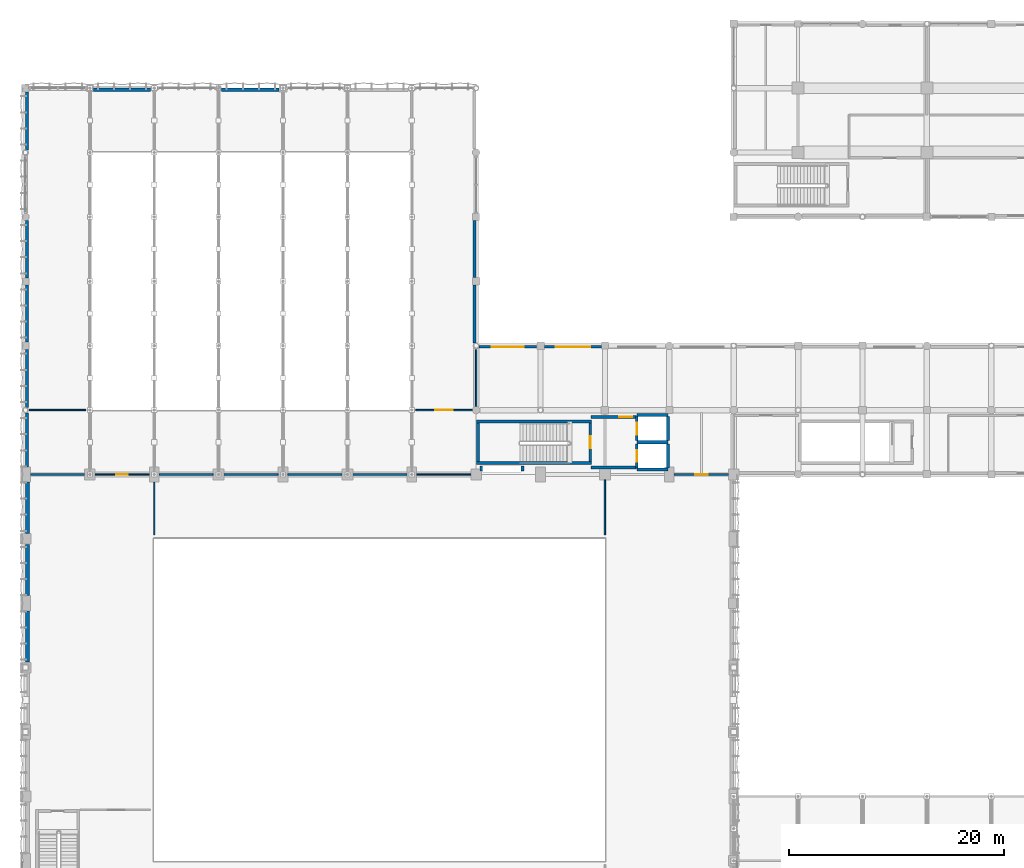
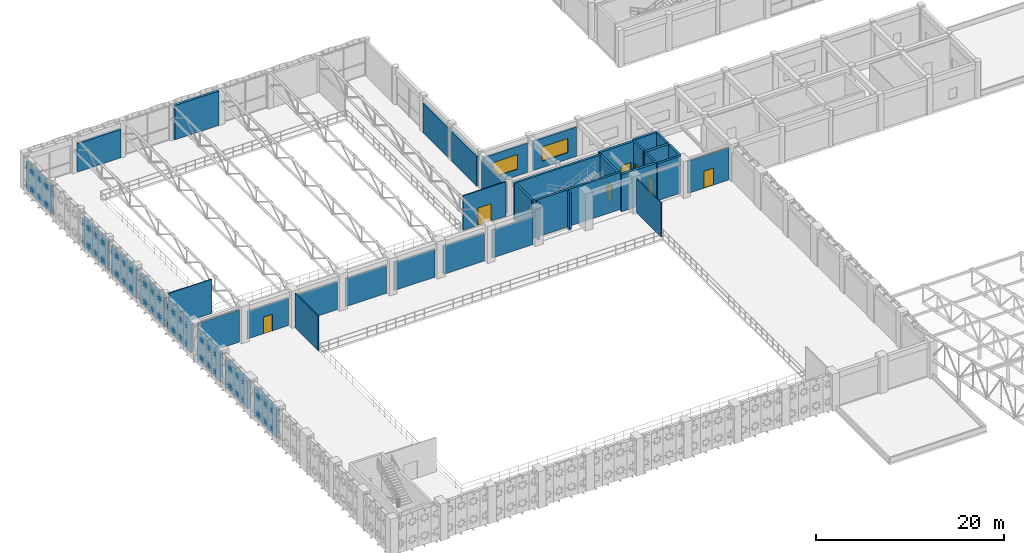
# One storey, part 98 of 123: 42 walls, 7 doors, 2 windows, 9 openings.
"""IFC4 building model written with IfcOpenShell, lengths in metres."""

from ifc_helpers import new_model, si_unit, direction, frame, frame_2d, origin, place, context, subcontext, project, spatial, rectangle, extrude, material, layer, layer_set, type_object, element, fill, save


model = new_model("IFC4")

# Units and contexts
model_context = context("Model", 3, precision=1e-05, world=origin(), true_north=direction((0.0, 1.0)))
body_context = subcontext(model_context, "Body", "Model", "MODEL_VIEW")
ifc_project = project(units=[si_unit("LENGTHUNIT", "METRE"), si_unit("AREAUNIT", "SQUARE_METRE"), si_unit("VOLUMEUNIT", "CUBIC_METRE"), si_unit("PLANEANGLEUNIT", "RADIAN"), si_unit("MASSUNIT", "GRAM", prefix="KILO"), si_unit("THERMODYNAMICTEMPERATUREUNIT", "KELVIN"), si_unit("POWERUNIT", "WATT")], contexts=[model_context])

# Site, building, storey
site_placement = place(None, origin())
site = spatial("IfcSite", under=ifc_project, at=site_placement, CompositionType="ELEMENT")
building_placement = place(site_placement, origin())
building = spatial("IfcBuilding", under=site, at=building_placement, Name="Phaisarnlok Congress Hotel", CompositionType="ELEMENT")
storey_placement = place(building_placement, frame((0.0, 0.0, 15.0)))
storey = spatial("IfcBuildingStorey", under=building, at=storey_placement, Name="L03", CompositionType="ELEMENT", Elevation=15.0)

# Wall, opening, window
ifc_material_1 = material(Name="Concrete C40/50", Category="concrete")
ifc_layer_1 = layer(ifc_material_1, 0.2099609375, Name="Concrete C40/50")
ifc_layer_set_1 = layer_set([ifc_layer_1], Name="Concrete C40/50")
wall_type_1 = type_object("IfcWallType", Name="WL-EXT-210", PredefinedType="SOLIDWALL", material=ifc_layer_set_1)
wall_1_placement = place(storey_placement, frame((47.64501953125, 95.89501953125, 0.0), z_axis=(0.0, 0.0, 1.0), x_axis=(-1.0, 0.0, 0.0)))
wall_1 = element("IfcWall", 1, at=wall_1_placement, inside=storey, type_object=wall_type_1, Name="Exterior wall EW-07 (L03)", PredefinedType="SOLIDWALL", context=body_context, shape_type="SweptSolid", body=[
    extrude(rectangle(XDim=5.385986328125, YDim=0.2099609375, at=frame_2d((2.69287109375, 0.0))), origin(), (0.0, 0.0, 1.0), 3.81005859375),
])
opening_1_placement = place(wall_1_placement, frame((1.193115234375, 0.0, 0.85009765625)))
opening_1 = element("IfcOpeningElement", 2, at=opening_1_placement, cuts=wall_1, Name="Opening W-05", PredefinedType="OPENING", context=body_context, shape_type="SweptSolid", body=[
    extrude(rectangle(XDim=3.0, YDim=1.89990234375, at=frame_2d((1.5, 0.949951171875))), frame((0.0, 0.114990234375, 0.0), z_axis=(0.0, -1.0, 0.0), x_axis=(1.0, 0.0, 0.0)), (0.0, 0.0, 1.0), 0.22998046875),
])
ifc_material_2 = material(Name="Thermally Broken Aluminium & Low-E Double Glazing", Category="aluminium")
window_type_1 = type_object("IfcWindowType", Name="WIN-POD-3000", PartitioningType="SINGLE_PANEL", PredefinedType="WINDOW", material=ifc_material_2)
window_1_placement = place(opening_1_placement, origin())
window_1 = element("IfcWindow", 3, at=window_1_placement, inside=storey, type_object=window_type_1, Name="Podium window W-05 (L03)", OverallHeight=1.89990234375, OverallWidth=3.0, PartitioningType="SINGLE_PANEL", PredefinedType="WINDOW", context=body_context, shape_type="SweptSolid", body=[
    extrude(rectangle(XDim=3.0, YDim=1.89990234375, at=frame_2d((1.5, 0.949951171875))), frame((0.0, 0.030029296875, 0.0), z_axis=(0.0, -1.0, 0.0), x_axis=(1.0, 0.0, 0.0)), (0.0, 0.0, 1.0), 0.06005859375),
])
fill(opening_1, window_1)

ifc_layer_2 = layer(ifc_material_1, 0.22998046875, Name="Concrete C40/50")
ifc_layer_set_2 = layer_set([ifc_layer_2], Name="Concrete C40/50")
wall_type_2 = type_object("IfcWallType", Name="WL-EXT-230", PredefinedType="SOLIDWALL", material=ifc_layer_set_2)
wall_2_placement = place(storey_placement, frame((53.669921875, 95.885009765625, 0.0), z_axis=(0.0, 0.0, 1.0), x_axis=(-1.0, 0.0, 0.0)))
wall_2 = element("IfcWall", 4, at=wall_2_placement, inside=storey, type_object=wall_type_2, Name="Exterior wall EW-06 (L03)", PredefinedType="SOLIDWALL", context=body_context, shape_type="SweptSolid", body=[
    extrude(rectangle(XDim=5.31494140625, YDim=0.22998046875, at=frame_2d((2.657470703125, 0.0))), origin(), (0.0, 0.0, 1.0), 3.81005859375),
])
opening_2_placement = place(wall_2_placement, frame((1.05810546875, 0.0, 0.85009765625)))
opening_2 = element("IfcOpeningElement", 5, at=opening_2_placement, cuts=wall_2, Name="Opening W-04", PredefinedType="OPENING", context=body_context, shape_type="SweptSolid", body=[
    extrude(rectangle(XDim=3.199951171875, YDim=1.85009765625, at=frame_2d((1.60009765625, 0.925048828125))), frame((0.0, 0.125, 0.0), z_axis=(0.0, -1.0, 0.0), x_axis=(1.0, 0.0, 0.0)), (0.0, 0.0, 1.0), 0.25),
])
window_type_2 = type_object("IfcWindowType", Name="WIN-SUITE-3200", PartitioningType="SINGLE_PANEL", PredefinedType="WINDOW", material=ifc_material_2)
window_2_placement = place(opening_2_placement, origin())
window_2 = element("IfcWindow", 6, at=window_2_placement, inside=storey, type_object=window_type_2, Name="Podium window W-04 (L03)", OverallHeight=1.85009765625, OverallWidth=3.199951171875, PartitioningType="SINGLE_PANEL", PredefinedType="WINDOW", context=body_context, shape_type="SweptSolid", body=[
    extrude(rectangle(XDim=3.199951171875, YDim=1.85009765625, at=frame_2d((1.60009765625, 0.925048828125))), frame((0.0, 0.030029296875, 0.0), z_axis=(0.0, -1.0, 0.0), x_axis=(1.0, 0.0, 0.0)), (0.0, 0.0, 1.0), 0.06005859375),
])
fill(opening_2, window_2)

# Walls
ifc_layer_3 = layer(ifc_material_1, 0.2900390625, Name="Concrete C40/50")
ifc_layer_set_3 = layer_set([ifc_layer_3], Name="Concrete C40/50")
wall_type_3 = type_object("IfcWallType", Name="WL-EXT-290", PredefinedType="SOLIDWALL", material=ifc_layer_set_3)
wall_3_placement = place(storey_placement, frame((41.85498046875, 96.259033203125, 0.0), z_axis=(0.0, 0.0, 1.0), x_axis=(0.0, 1.0, 0.0)))
element("IfcWall", 7, at=wall_3_placement, inside=storey, type_object=wall_type_3, Name="Exterior wall EW-03 (L03)", PredefinedType="SOLIDWALL", context=body_context, shape_type="SweptSolid", body=[
    extrude(rectangle(XDim=5.385986328125, YDim=0.2900390625, at=frame_2d((2.69287109375, 0.0))), origin(), (0.0, 0.0, 1.0), 3.844970703125),
])
wall_4_placement = place(storey_placement, frame((41.85498046875, 102.35498046875, 0.0), z_axis=(0.0, 0.0, 1.0), x_axis=(0.0, 1.0, 0.0)))
element("IfcWall", 8, at=wall_4_placement, inside=storey, type_object=wall_type_3, Name="Exterior wall EW-03 (L03)", PredefinedType="SOLIDWALL", context=body_context, shape_type="SweptSolid", body=[
    extrude(rectangle(XDim=5.31494140625, YDim=0.2900390625, at=frame_2d((2.657470703125, 0.0))), origin(), (0.0, 0.0, 1.0), 3.844970703125),
])
wall_5_placement = place(storey_placement, frame((23.64501953125, 119.85498046875, 0.0), z_axis=(0.0, 0.0, 1.0), x_axis=(-1.0, 0.0, 0.0)))
element("IfcWall", 9, at=wall_5_placement, inside=storey, type_object=wall_type_3, Name="Exterior wall EW-03 (L03)", PredefinedType="SOLIDWALL", context=body_context, shape_type="SweptSolid", body=[
    extrude(rectangle(XDim=5.385986328125, YDim=0.2900390625, at=frame_2d((2.69287109375, 0.0))), origin(), (0.0, 0.0, 1.0), 4.449951171875),
])
wall_6_placement = place(storey_placement, frame((11.64501953125, 119.85498046875, 0.0), z_axis=(0.0, 0.0, 1.0), x_axis=(-1.0, 0.0, 0.0)))
element("IfcWall", 10, at=wall_6_placement, inside=storey, type_object=wall_type_3, Name="Exterior wall EW-03 (L03)", PredefinedType="SOLIDWALL", context=body_context, shape_type="SweptSolid", body=[
    extrude(rectangle(XDim=5.31494140625, YDim=0.2900390625, at=frame_2d((2.657470703125, 0.0))), origin(), (0.0, 0.0, 1.0), 3.699951171875),
])
wall_7_placement = place(storey_placement, frame((0.14501953125, 119.64501953125, 0.0), z_axis=(0.0, 0.0, 1.0), x_axis=(0.0, -1.0, 0.0)))
element("IfcWall", 11, at=wall_7_placement, inside=storey, type_object=wall_type_3, Name="Exterior wall EW-03 (L03)", PredefinedType="SOLIDWALL", context=body_context, shape_type="SweptSolid", body=[
    extrude(rectangle(XDim=5.385986328125, YDim=0.2900390625, at=frame_2d((2.69287109375, 0.0))), origin(), (0.0, 0.0, 1.0), 3.699951171875),
])
for number, where, z_axis, x_axis, name in (
    (12, (0.14501953125, 107.64501953125, 0.0), (0.0, 0.0, 1.0), (0.0, -1.0, 0.0), "Exterior wall EW-03 (L03)"),
    (13, (0.14501953125, 101.669921875, 0.0), (0.0, 0.0, 1.0), (0.0, -1.0, 0.0), "Exterior wall EW-03 (L03)"),
):
    element("IfcWall", number, at=place(storey_placement, frame(where, z_axis=z_axis, x_axis=x_axis)), inside=storey, type_object=wall_type_3, Name=name, PredefinedType="SOLIDWALL", context=body_context, shape_type="SweptSolid", body=[
        extrude(rectangle(XDim=5.31494140625, YDim=0.2900390625, at=frame_2d((2.657470703125, 0.0))), origin(), (0.0, 0.0, 1.0), 3.699951171875),
    ])
wall_8_placement = place(storey_placement, frame((0.14501953125, 95.64501953125, 0.0), z_axis=(0.0, 0.0, 1.0), x_axis=(0.0, -1.0, 0.0)))
element("IfcWall", 14, at=wall_8_placement, inside=storey, type_object=wall_type_3, Name="Exterior wall EW-03 (L03)", PredefinedType="SOLIDWALL", context=body_context, shape_type="SweptSolid", body=[
    extrude(rectangle(XDim=5.385986328125, YDim=0.2900390625, at=frame_2d((2.69287109375, 0.0))), origin(), (0.0, 0.0, 1.0), 3.699951171875),
])
wall_9_placement = place(storey_placement, frame((0.14501953125, 89.740966796875, 0.0), z_axis=(0.0, 0.0, 1.0), x_axis=(0.0, -1.0, 0.0)))
element("IfcWall", 15, at=wall_9_placement, inside=storey, type_object=wall_type_3, Name="Exterior wall EW-03 (L03)", PredefinedType="SOLIDWALL", context=body_context, shape_type="SweptSolid", body=[
    extrude(rectangle(XDim=5.035888671875, YDim=0.2900390625, at=frame_2d((2.51806640625, 0.0))), origin(), (0.0, 0.0, 1.0), 3.699951171875),
])
ifc_layer_4 = layer(ifc_material_1, 0.360107421875, Name="Concrete C40/50")
ifc_layer_set_4 = layer_set([ifc_layer_4], Name="Concrete C40/50")
wall_type_4 = type_object("IfcWallType", Name="WL-EXT-360", PredefinedType="SOLIDWALL", material=ifc_layer_set_4)
for number, where, z_axis, x_axis, name in (
    (16, (0.179931640625, 83.294921875, 0.0), (0.0, 0.0, 1.0), (0.0, -1.0, 0.0), "Exterior wall EW-01 (L03)"),
    (17, (0.179931640625, 77.4951171875, 0.0), (0.0, 0.0, 1.0), (0.0, -1.0, 0.0), "Exterior wall EW-01 (L03)"),
    (18, (0.179931640625, 71.294921875, 0.0), (0.0, 0.0, 1.0), (0.0, -1.0, 0.0), "Exterior wall EW-01 (L03)"),
):
    element("IfcWall", number, at=place(storey_placement, frame(where, z_axis=z_axis, x_axis=x_axis)), inside=storey, type_object=wall_type_4, Name=name, PredefinedType="SOLIDWALL", context=body_context, shape_type="SweptSolid", body=[
        extrude(rectangle(XDim=4.7900390625, YDim=0.360107421875, at=frame_2d((2.39501953125, 0.0))), origin(), (0.0, 0.0, 1.0), 3.699951171875),
    ])

# Wall, opening, door
ifc_material_3 = material(Name="Service Riser Shaftwall Partition", Category="gypsum")
ifc_layer_5 = layer(ifc_material_3, 0.10498046875, Name="Service Riser Shaftwall Partition")
ifc_layer_set_5 = layer_set([ifc_layer_5], Name="Service Riser Shaftwall Partition")
wall_type_5 = type_object("IfcWallType", Name="WL-INT-105", PredefinedType="PARTITIONING", material=ifc_layer_set_5)
wall_10_placement = place(storey_placement, frame((6.5048828125, 84.0, 0.0), z_axis=(0.0, 0.0, 1.0), x_axis=(1.0, 0.0, 0.0)))
wall_10 = element("IfcWall", 19, at=wall_10_placement, inside=storey, type_object=wall_type_5, Name="Interior partition wall IW-08 (L03)", PredefinedType="PARTITIONING", context=body_context, shape_type="SweptSolid", body=[
    extrude(rectangle(XDim=5.0400390625, YDim=0.10498046875, at=frame_2d((2.52001953125, 0.0))), origin(), (0.0, 0.0, 1.0), 3.64990234375),
])
opening_3_placement = place(wall_10_placement, frame((1.945068359375, 0.0, 0.0)))
opening_3 = element("IfcOpeningElement", 20, at=opening_3_placement, cuts=wall_10, Name="Opening D-0112", PredefinedType="OPENING", context=body_context, shape_type="SweptSolid", body=[
    extrude(rectangle(XDim=1.10009765625, YDim=2.14990234375, at=frame_2d((0.550048828125, 1.074951171875))), frame((0.0, 0.0625, 0.0), z_axis=(0.0, -1.0, 0.0), x_axis=(1.0, 0.0, 0.0)), (0.0, 0.0, 1.0), 0.125),
])
ifc_material_4 = material(Name="Fire-Rated Steel Frame & Timber Leaf", Category="steel")
door_type_1 = type_object("IfcDoorType", Name="DR-FD60-1100", OperationType="NOTDEFINED", PredefinedType="DOOR", material=ifc_material_4)
door_1_placement = place(opening_3_placement, origin())
door_1 = element("IfcDoor", 21, at=door_1_placement, inside=storey, type_object=door_type_1, Name="Interior door D-0112 (L03)", OperationType="SINGLE_SWING_LEFT", OverallHeight=2.14990234375, OverallWidth=1.10009765625, PredefinedType="DOOR", context=body_context, shape_type="SweptSolid", body=[
    extrude(rectangle(XDim=1.10009765625, YDim=2.14990234375, at=frame_2d((0.550048828125, 1.074951171875))), frame((0.0, 0.02490234375, 0.0), z_axis=(0.0, -1.0, 0.0), x_axis=(1.0, 0.0, 0.0)), (0.0, 0.0, 1.0), 0.050048828125),
])
fill(opening_3, door_1)

# Walls
wall_11_placement = place(storey_placement, frame((36.455078125, 84.0, 0.0), z_axis=(0.0, 0.0, 1.0), x_axis=(1.0, 0.0, 0.0)))
element("IfcWall", 22, at=wall_11_placement, inside=storey, type_object=wall_type_5, Name="Interior partition wall IW-08 (L03)", PredefinedType="PARTITIONING", context=body_context, shape_type="SweptSolid", body=[
    extrude(rectangle(XDim=5.0400390625, YDim=0.10498046875, at=frame_2d((2.52001953125, 0.0))), origin(), (0.0, 0.0, 1.0), 3.64990234375),
])
ifc_material_5 = material(Name="Lightweight Metal-Stud Gypsum Partition", Category="gypsum")
ifc_layer_6 = layer(ifc_material_5, 0.1201171875, Name="Lightweight Metal-Stud Gypsum Partition")
ifc_layer_set_6 = layer_set([ifc_layer_6], Name="Lightweight Metal-Stud Gypsum Partition")
wall_type_6 = type_object("IfcWallType", Name="WL-INT-120", PredefinedType="PARTITIONING", material=ifc_layer_set_6)
wall_12_placement = place(storey_placement, frame((0.3701171875, 90.0, 0.0), z_axis=(0.0, 0.0, 1.0), x_axis=(1.0, 0.0, 0.0)))
element("IfcWall", 23, at=wall_12_placement, inside=storey, type_object=wall_type_6, Name="Interior partition wall IW-07 (L03)", PredefinedType="PARTITIONING", context=body_context, shape_type="SweptSolid", body=[
    extrude(rectangle(XDim=5.259765625, YDim=0.1201171875, at=frame_2d((2.6298828125, 0.0))), origin(), (0.0, 0.0, 1.0), 4.449951171875),
])
ifc_material_6 = material(Name="Moisture-Resistant Gypsum Partition", Category="gypsum")
ifc_layer_7 = layer(ifc_material_6, 0.135009765625, Name="Moisture-Resistant Gypsum Partition")
ifc_layer_set_7 = layer_set([ifc_layer_7], Name="Moisture-Resistant Gypsum Partition")
wall_type_7 = type_object("IfcWallType", Name="WL-INT-135", PredefinedType="PARTITIONING", material=ifc_layer_set_7)
wall_13_placement = place(storey_placement, frame((12.0, 78.3701171875, 0.0), z_axis=(0.0, 0.0, 1.0), x_axis=(0.0, 1.0, 0.0)))
element("IfcWall", 24, at=wall_13_placement, inside=storey, type_object=wall_type_7, Name="Interior partition wall IW-06 (L03)", PredefinedType="PARTITIONING", context=body_context, shape_type="SweptSolid", body=[
    extrude(rectangle(XDim=4.9248046875, YDim=0.135009765625, at=frame_2d((2.46240234375, 0.0))), origin(), (0.0, 0.0, 1.0), 4.449951171875),
])
wall_14_placement = place(storey_placement, frame((42.0, 90.35498046875, 0.0), z_axis=(0.0, 0.0, 1.0), x_axis=(0.0, 1.0, 0.0)))
element("IfcWall", 25, at=wall_14_placement, inside=storey, type_object=wall_type_7, Name="Interior partition wall IW-06 (L03)", PredefinedType="PARTITIONING", context=body_context, shape_type="SweptSolid", body=[
    extrude(rectangle(XDim=5.27490234375, YDim=0.135009765625, at=frame_2d((2.637451171875, 0.0))), origin(), (0.0, 0.0, 1.0), 3.794921875),
])
wall_15_placement = place(storey_placement, frame((54.0, 78.3701171875, 0.0), z_axis=(0.0, 0.0, 1.0), x_axis=(0.0, 1.0, 0.0)))
element("IfcWall", 26, at=wall_15_placement, inside=storey, type_object=wall_type_7, Name="Interior partition wall IW-06 (L03)", PredefinedType="PARTITIONING", context=body_context, shape_type="SweptSolid", body=[
    extrude(rectangle(XDim=5.125, YDim=0.135009765625, at=frame_2d((2.5625, 0.0))), origin(), (0.0, 0.0, 1.0), 4.449951171875),
])

# Wall, opening, door
wall_16_placement = place(storey_placement, frame((36.3701171875, 90.0, 0.0), z_axis=(0.0, 0.0, 1.0), x_axis=(1.0, 0.0, 0.0)))
wall_16 = element("IfcWall", 27, at=wall_16_placement, inside=storey, type_object=wall_type_7, Name="Interior partition wall IW-06 (L03)", PredefinedType="PARTITIONING", context=body_context, shape_type="SweptSolid", body=[
    extrude(rectangle(XDim=5.27490234375, YDim=0.135009765625, at=frame_2d((2.637451171875, 0.0))), origin(), (0.0, 0.0, 1.0), 4.449951171875),
])
opening_4_placement = place(wall_16_placement, frame((1.830078125, 0.0, 0.0)))
opening_4 = element("IfcOpeningElement", 28, at=opening_4_placement, cuts=wall_16, Name="Opening D-0113", PredefinedType="OPENING", context=body_context, shape_type="SweptSolid", body=[
    extrude(rectangle(XDim=1.60009765625, YDim=2.25, at=frame_2d((0.800048828125, 1.125))), frame((0.0, 0.07763671875, 0.0), z_axis=(0.0, -1.0, 0.0), x_axis=(1.0, 0.0, 0.0)), (0.0, 0.0, 1.0), 0.155029296875),
])
ifc_material_7 = material(Name="Frameless Tempered Acoustic Glass", Category="glass")
door_type_2 = type_object("IfcDoorType", Name="DR-GLZ-1600", OperationType="DOUBLE_DOOR_SINGLE_SWING", PredefinedType="DOOR", material=ifc_material_7)
door_2_placement = place(opening_4_placement, origin())
door_2 = element("IfcDoor", 29, at=door_2_placement, inside=storey, type_object=door_type_2, Name="Interior door D-0113 (L03)", OperationType="DOUBLE_DOOR_SINGLE_SWING", OverallHeight=2.25, OverallWidth=1.60009765625, PredefinedType="DOOR", context=body_context, shape_type="SweptSolid", body=[
    extrude(rectangle(XDim=1.60009765625, YDim=2.25, at=frame_2d((0.800048828125, 1.125))), frame((0.0, 0.02490234375, 0.0), z_axis=(0.0, -1.0, 0.0), x_axis=(1.0, 0.0, 0.0)), (0.0, 0.0, 1.0), 0.050048828125),
])
fill(opening_4, door_2)

# Walls
ifc_material_8 = material(Name="Acoustic Gypsum Board & Mineral Wool", Category="gypsum")
ifc_layer_8 = layer(ifc_material_8, 0.14990234375, Name="Acoustic Gypsum Board & Mineral Wool")
ifc_layer_set_8 = layer_set([ifc_layer_8], Name="Acoustic Gypsum Board & Mineral Wool")
wall_type_8 = type_object("IfcWallType", Name="WL-INT-150", PredefinedType="PARTITIONING", material=ifc_layer_set_8)
wall_17_placement = place(storey_placement, frame((24.455078125, 84.0, 0.0), z_axis=(0.0, 0.0, 1.0), x_axis=(1.0, 0.0, 0.0)))
element("IfcWall", 30, at=wall_17_placement, inside=storey, type_object=wall_type_8, Name="Interior partition wall IW-05 (L03)", PredefinedType="PARTITIONING", context=body_context, shape_type="SweptSolid", body=[
    extrude(rectangle(XDim=5.0400390625, YDim=0.14990234375, at=frame_2d((2.52001953125, 0.0))), origin(), (0.0, 0.0, 1.0), 3.64990234375),
])
ifc_material_9 = material(Name="Double-Stud Acoustic Gypsum Partition", Category="gypsum")
ifc_layer_9 = layer(ifc_material_9, 0.159912109375, Name="Double-Stud Acoustic Gypsum Partition")
ifc_layer_set_9 = layer_set([ifc_layer_9], Name="Double-Stud Acoustic Gypsum Partition")
wall_type_9 = type_object("IfcWallType", Name="WL-INT-160", PredefinedType="PARTITIONING", material=ifc_layer_set_9)
wall_18_placement = place(storey_placement, frame((18.5048828125, 84.0, 0.0), z_axis=(0.0, 0.0, 1.0), x_axis=(1.0, 0.0, 0.0)))
element("IfcWall", 31, at=wall_18_placement, inside=storey, type_object=wall_type_9, Name="Interior partition wall IW-04 (L03)", PredefinedType="PARTITIONING", context=body_context, shape_type="SweptSolid", body=[
    extrude(rectangle(XDim=5.0400390625, YDim=0.159912109375, at=frame_2d((2.52001953125, 0.0))), origin(), (0.0, 0.0, 1.0), 3.64990234375),
])
ifc_material_10 = material(Name="Autoclaved Aerated Concrete Block", Category="concrete")
ifc_layer_10 = layer(ifc_material_10, 0.179931640625, Name="Autoclaved Aerated Concrete Block")
ifc_layer_set_10 = layer_set([ifc_layer_10], Name="Autoclaved Aerated Concrete Block")
wall_type_10 = type_object("IfcWallType", Name="WL-INT-180", PredefinedType="PARTITIONING", material=ifc_layer_set_10)
wall_19_placement = place(storey_placement, frame((12.455078125, 84.0, 0.0), z_axis=(0.0, 0.0, 1.0), x_axis=(1.0, 0.0, 0.0)))
element("IfcWall", 32, at=wall_19_placement, inside=storey, type_object=wall_type_10, Name="Interior partition wall IW-03 (L03)", PredefinedType="PARTITIONING", context=body_context, shape_type="SweptSolid", body=[
    extrude(rectangle(XDim=5.0400390625, YDim=0.179931640625, at=frame_2d((2.52001953125, 0.0))), origin(), (0.0, 0.0, 1.0), 3.64990234375),
])

# Wall, opening, door
wall_20_placement = place(storey_placement, frame((60.455078125, 84.0, 0.0), z_axis=(0.0, 0.0, 1.0), x_axis=(1.0, 0.0, 0.0)))
wall_20 = element("IfcWall", 33, at=wall_20_placement, inside=storey, type_object=wall_type_10, Name="Interior partition wall IW-03 (L03)", PredefinedType="PARTITIONING", context=body_context, shape_type="SweptSolid", body=[
    extrude(rectangle(XDim=5.0400390625, YDim=0.179931640625, at=frame_2d((2.52001953125, 0.0))), origin(), (0.0, 0.0, 1.0), 4.159912109375),
])
opening_5_placement = place(wall_20_placement, frame((1.945068359375, 0.0, 0.0)))
opening_5 = element("IfcOpeningElement", 34, at=opening_5_placement, cuts=wall_20, Name="Opening D-0109", PredefinedType="OPENING", context=body_context, shape_type="SweptSolid", body=[
    extrude(rectangle(XDim=1.199951171875, YDim=2.199951171875, at=frame_2d((0.60009765625, 1.10009765625))), frame((0.0, 0.10009765625, 0.0), z_axis=(0.0, -1.0, 0.0), x_axis=(1.0, 0.0, 0.0)), (0.0, 0.0, 1.0), 0.199951171875),
])
door_type_3 = type_object("IfcDoorType", Name="DR-FD60-1200", OperationType="NOTDEFINED", PredefinedType="DOOR", material=ifc_material_4)
door_3_placement = place(opening_5_placement, origin())
door_3 = element("IfcDoor", 35, at=door_3_placement, inside=storey, type_object=door_type_3, Name="Interior door D-0109 (L03)", OperationType="SINGLE_SWING_RIGHT", OverallHeight=2.199951171875, OverallWidth=1.199951171875, PredefinedType="DOOR", context=body_context, shape_type="SweptSolid", body=[
    extrude(rectangle(XDim=1.199951171875, YDim=2.199951171875, at=frame_2d((0.60009765625, 1.10009765625))), frame((0.0, 0.02490234375, 0.0), z_axis=(0.0, -1.0, 0.0), x_axis=(1.0, 0.0, 0.0)), (0.0, 0.0, 1.0), 0.050048828125),
])
fill(opening_5, door_3)

# Walls
ifc_layer_11 = layer(ifc_material_10, 0.199951171875, Name="Autoclaved Aerated Concrete Block")
ifc_layer_set_11 = layer_set([ifc_layer_11], Name="Autoclaved Aerated Concrete Block")
wall_type_11 = type_object("IfcWallType", Name="WL-INT-200", PredefinedType="PARTITIONING", material=ifc_layer_set_11)
wall_21_placement = place(storey_placement, frame((0.455078125, 84.0, 0.0), z_axis=(0.0, 0.0, 1.0), x_axis=(1.0, 0.0, 0.0)))
element("IfcWall", 36, at=wall_21_placement, inside=storey, type_object=wall_type_11, Name="Interior partition wall IW-02 (L03)", PredefinedType="PARTITIONING", context=body_context, shape_type="SweptSolid", body=[
    extrude(rectangle(XDim=5.0400390625, YDim=0.199951171875, at=frame_2d((2.52001953125, 0.0))), origin(), (0.0, 0.0, 1.0), 4.159912109375),
])
wall_22_placement = place(storey_placement, frame((30.5048828125, 84.0, 0.0), z_axis=(0.0, 0.0, 1.0), x_axis=(1.0, 0.0, 0.0)))
element("IfcWall", 37, at=wall_22_placement, inside=storey, type_object=wall_type_11, Name="Interior partition wall IW-02 (L03)", PredefinedType="PARTITIONING", context=body_context, shape_type="SweptSolid", body=[
    extrude(rectangle(XDim=5.0400390625, YDim=0.199951171875, at=frame_2d((2.52001953125, 0.0))), origin(), (0.0, 0.0, 1.0), 3.64990234375),
])
ifc_material_11 = material(Name="Concrete C50/60", Category="concrete")
ifc_layer_12 = layer(ifc_material_11, 0.260009765625, Name="Concrete C50/60")
ifc_layer_set_12 = layer_set([ifc_layer_12], Name="Concrete C50/60")
wall_type_12 = type_object("IfcWallType", Name="WL-SHR-260", PredefinedType="SHEAR", material=ifc_layer_set_12)
for number, where, z_axis, x_axis, name in (
    (38, (42.0400390625, 85.070068359375, 0.0), (0.0, 0.0, 1.0), (1.0, 0.0, 0.0), "Stair shaft shear wall SW-04 (CORE-5 L03)"),
    (39, (42.0400390625, 88.929931640625, 0.0), (0.0, 0.0, 1.0), (1.0, 0.0, 0.0), "Stair shaft shear wall SW-04 (CORE-5 L03)"),
):
    element("IfcWall", number, at=place(storey_placement, frame(where, z_axis=z_axis, x_axis=x_axis)), inside=storey, type_object=wall_type_12, Name=name, PredefinedType="SHEAR", context=body_context, shape_type="SweptSolid", body=[
        extrude(rectangle(XDim=10.719970703125, YDim=0.260009765625, at=frame_2d((5.35986328125, 0.0))), origin(), (0.0, 0.0, 1.0), 4.800048828125),
    ])
wall_23_placement = place(storey_placement, frame((42.169921875, 85.199951171875, 0.0), z_axis=(0.0, 0.0, 1.0), x_axis=(0.0, 1.0, 0.0)))
element("IfcWall", 40, at=wall_23_placement, inside=storey, type_object=wall_type_12, Name="Stair shaft shear wall SW-04 (CORE-5 L03)", PredefinedType="SHEAR", context=body_context, shape_type="SweptSolid", body=[
    extrude(rectangle(XDim=3.60009765625, YDim=0.260009765625, at=frame_2d((1.800048828125, 0.0))), origin(), (0.0, 0.0, 1.0), 4.800048828125),
])

# Wall, opening, door
wall_24_placement = place(storey_placement, frame((52.6298828125, 85.199951171875, 0.0), z_axis=(0.0, 0.0, 1.0), x_axis=(0.0, 1.0, 0.0)))
wall_24 = element("IfcWall", 41, at=wall_24_placement, inside=storey, type_object=wall_type_12, Name="Stair shaft shear wall SW-04 (CORE-5 L03)", PredefinedType="SHEAR", context=body_context, shape_type="SweptSolid", body=[
    extrude(rectangle(XDim=3.60009765625, YDim=0.260009765625, at=frame_2d((1.800048828125, 0.0))), origin(), (0.0, 0.0, 1.0), 4.800048828125),
])
opening_6_placement = place(wall_24_placement, frame((1.25, 0.0, 0.0)))
opening_6 = element("IfcOpeningElement", 42, at=opening_6_placement, cuts=wall_24, Name="Opening FD-125", PredefinedType="OPENING", context=body_context, shape_type="SweptSolid", body=[
    extrude(rectangle(XDim=1.10009765625, YDim=2.14990234375, at=frame_2d((0.550048828125, 1.074951171875))), frame((0.0, 0.14013671875, 0.0), z_axis=(0.0, -1.0, 0.0), x_axis=(1.0, 0.0, 0.0)), (0.0, 0.0, 1.0), 0.280029296875),
])
door_4_placement = place(opening_6_placement, origin())
door_4 = element("IfcDoor", 43, at=door_4_placement, inside=storey, type_object=door_type_1, Name="Stair enclosure fire door FD-125 (L03)", OperationType="SINGLE_SWING_RIGHT", OverallHeight=2.14990234375, OverallWidth=1.10009765625, PredefinedType="DOOR", context=body_context, shape_type="SweptSolid", body=[
    extrude(rectangle(XDim=1.10009765625, YDim=2.14990234375, at=frame_2d((0.550048828125, 1.074951171875))), frame((0.0, 0.02490234375, 0.0), z_axis=(0.0, -1.0, 0.0), x_axis=(1.0, 0.0, 0.0)), (0.0, 0.0, 1.0), 0.050048828125),
])
fill(opening_6, door_4)

# Walls
wall_25_placement = place(storey_placement, frame((56.969970703125, 84.469970703125, 0.0), z_axis=(0.0, 0.0, 1.0), x_axis=(1.0, 0.0, 0.0)))
element("IfcWall", 44, at=wall_25_placement, inside=storey, type_object=wall_type_12, Name="Lift shaft shear wall SW-04 (LF-CP1 L03)", PredefinedType="SHEAR", context=body_context, shape_type="SweptSolid", body=[
    extrude(rectangle(XDim=2.909912109375, YDim=0.260009765625, at=frame_2d((1.455078125, 0.0))), origin(), (0.0, 0.0, 1.0), 4.800048828125),
])
wall_26_placement = place(storey_placement, frame((59.8798828125, 84.60009765625, 0.0), z_axis=(0.0, 0.0, 1.0), x_axis=(0.0, 1.0, 0.0)))
element("IfcWall", 45, at=wall_26_placement, inside=storey, type_object=wall_type_12, Name="Lift shaft shear wall SW-04 (LF-CP1 L03)", PredefinedType="SHEAR", context=body_context, shape_type="SweptSolid", body=[
    extrude(rectangle(XDim=2.25, YDim=0.260009765625, at=frame_2d((1.125, 0.0))), origin(), (0.0, 0.0, 1.0), 4.800048828125),
])

# Wall, opening, door
wall_27_placement = place(storey_placement, frame((56.969970703125, 84.60009765625, 0.0), z_axis=(0.0, 0.0, 1.0), x_axis=(0.0, 1.0, 0.0)))
wall_27 = element("IfcWall", 46, at=wall_27_placement, inside=storey, type_object=wall_type_12, Name="Lift shaft front wall SW-04 (LF-CP1 L03)", PredefinedType="SHEAR", context=body_context, shape_type="SweptSolid", body=[
    extrude(rectangle(XDim=2.25, YDim=0.260009765625, at=frame_2d((1.125, 0.0))), origin(), (0.0, 0.0, 1.0), 4.800048828125),
])
opening_7_placement = place(wall_27_placement, frame((0.574951171875, 0.0, 0.0)))
opening_7 = element("IfcOpeningElement", 47, at=opening_7_placement, cuts=wall_27, Name="Opening LD-110", PredefinedType="OPENING", context=body_context, shape_type="SweptSolid", body=[
    extrude(rectangle(XDim=1.10009765625, YDim=2.199951171875, at=frame_2d((0.550048828125, 1.10009765625))), frame((0.0, 0.14013671875, 0.0), z_axis=(0.0, -1.0, 0.0), x_axis=(1.0, 0.0, 0.0)), (0.0, 0.0, 1.0), 0.280029296875),
])
ifc_material_12 = material(Name="Brushed Stainless Steel Grade 304", Category="steel")
door_type_4 = type_object("IfcDoorType", Name="DR-LD-1100", OperationType="DOUBLE_DOOR_SLIDING", PredefinedType="DOOR", material=ifc_material_12)
door_5_placement = place(opening_7_placement, origin())
door_5 = element("IfcDoor", 48, at=door_5_placement, inside=storey, type_object=door_type_4, Name="Lift landing sliding door LD-110 (LF-CP1 L03)", OperationType="DOUBLE_DOOR_SLIDING", OverallHeight=2.199951171875, OverallWidth=1.10009765625, PredefinedType="DOOR", context=body_context, shape_type="SweptSolid", body=[
    extrude(rectangle(XDim=1.10009765625, YDim=2.199951171875, at=frame_2d((0.550048828125, 1.10009765625))), frame((0.0, 0.02490234375, 0.0), z_axis=(0.0, -1.0, 0.0), x_axis=(1.0, 0.0, 0.0)), (0.0, 0.0, 1.0), 0.050048828125),
])
fill(opening_7, door_5)

# Walls
wall_28_placement = place(storey_placement, frame((56.969970703125, 89.530029296875, 0.0), z_axis=(0.0, 0.0, 1.0), x_axis=(1.0, 0.0, 0.0)))
element("IfcWall", 49, at=wall_28_placement, inside=storey, type_object=wall_type_12, Name="Lift shaft shear wall SW-04 (LF-SP1 L03)", PredefinedType="SHEAR", context=body_context, shape_type="SweptSolid", body=[
    extrude(rectangle(XDim=2.909912109375, YDim=0.260009765625, at=frame_2d((1.455078125, 0.0))), origin(), (0.0, 0.0, 1.0), 4.800048828125),
])
wall_29_placement = place(storey_placement, frame((59.8798828125, 87.14990234375, 0.0), z_axis=(0.0, 0.0, 1.0), x_axis=(0.0, 1.0, 0.0)))
element("IfcWall", 50, at=wall_29_placement, inside=storey, type_object=wall_type_12, Name="Lift shaft shear wall SW-04 (LF-SP1 L03)", PredefinedType="SHEAR", context=body_context, shape_type="SweptSolid", body=[
    extrude(rectangle(XDim=2.25, YDim=0.260009765625, at=frame_2d((1.125, 0.0))), origin(), (0.0, 0.0, 1.0), 4.800048828125),
])

# Wall, opening, door
wall_30_placement = place(storey_placement, frame((56.969970703125, 87.14990234375, 0.0), z_axis=(0.0, 0.0, 1.0), x_axis=(0.0, 1.0, 0.0)))
wall_30 = element("IfcWall", 51, at=wall_30_placement, inside=storey, type_object=wall_type_12, Name="Lift shaft front wall SW-04 (LF-SP1 L03)", PredefinedType="SHEAR", context=body_context, shape_type="SweptSolid", body=[
    extrude(rectangle(XDim=2.25, YDim=0.260009765625, at=frame_2d((1.125, 0.0))), origin(), (0.0, 0.0, 1.0), 4.800048828125),
])
opening_8_placement = place(wall_30_placement, frame((0.574951171875, 0.0, 0.0)))
opening_8 = element("IfcOpeningElement", 52, at=opening_8_placement, cuts=wall_30, Name="Opening LD-116", PredefinedType="OPENING", context=body_context, shape_type="SweptSolid", body=[
    extrude(rectangle(XDim=1.10009765625, YDim=2.199951171875, at=frame_2d((0.550048828125, 1.10009765625))), frame((0.0, 0.14013671875, 0.0), z_axis=(0.0, -1.0, 0.0), x_axis=(1.0, 0.0, 0.0)), (0.0, 0.0, 1.0), 0.280029296875),
])
door_6_placement = place(opening_8_placement, origin())
door_6 = element("IfcDoor", 53, at=door_6_placement, inside=storey, type_object=door_type_4, Name="Lift landing sliding door LD-116 (LF-SP1 L03)", OperationType="DOUBLE_DOOR_SLIDING", OverallHeight=2.199951171875, OverallWidth=1.10009765625, PredefinedType="DOOR", context=body_context, shape_type="SweptSolid", body=[
    extrude(rectangle(XDim=1.10009765625, YDim=2.199951171875, at=frame_2d((0.550048828125, 1.10009765625))), frame((0.0, 0.02490234375, 0.0), z_axis=(0.0, -1.0, 0.0), x_axis=(1.0, 0.0, 0.0)), (0.0, 0.0, 1.0), 0.050048828125),
])
fill(opening_8, door_6)

# Walls
for number, where, z_axis, x_axis, name in (
    (54, (42.469970703125, 84.330078125, 0.0), (0.0, 0.0, 1.0), (0.0, 1.0, 0.0), "Service riser shaft wall SW-04 (CORE-5 L03)"),
    (55, (46.330078125, 84.330078125, 0.0), (0.0, 0.0, 1.0), (0.0, 1.0, 0.0), "Service riser shaft wall SW-04 (CORE-5 L03)"),
):
    element("IfcWall", number, at=place(storey_placement, frame(where, z_axis=z_axis, x_axis=x_axis)), inside=storey, type_object=wall_type_12, Name=name, PredefinedType="SHEAR", context=body_context, shape_type="SweptSolid", body=[
        extrude(rectangle(XDim=0.43994140625, YDim=0.260009765625, at=frame_2d((0.219970703125, 0.0))), origin(), (0.0, 0.0, 1.0), 4.800048828125),
    ])
ifc_layer_13 = layer(ifc_material_11, 0.300048828125, Name="Concrete C50/60")
ifc_layer_set_13 = layer_set([ifc_layer_13], Name="Concrete C50/60")
wall_type_13 = type_object("IfcWallType", Name="WL-SHR-300", PredefinedType="SHEAR", material=ifc_layer_set_13)
wall_31_placement = place(storey_placement, frame((56.969970703125, 87.0, 0.0), z_axis=(0.0, 0.0, 1.0), x_axis=(1.0, 0.0, 0.0)))
element("IfcWall", 56, at=wall_31_placement, inside=storey, type_object=wall_type_13, Name="Lift shaft divider shear wall SW-03 (LF-CP1 L03)", PredefinedType="SHEAR", context=body_context, shape_type="SweptSolid", body=[
    extrude(rectangle(XDim=2.909912109375, YDim=0.300048828125, at=frame_2d((1.455078125, 0.0))), origin(), (0.0, 0.0, 1.0), 4.800048828125),
])

# Wall, opening, door
wall_32_placement = place(storey_placement, frame((52.679931640625, 89.35009765625, 0.0), z_axis=(0.0, 0.0, 1.0), x_axis=(1.0, 0.0, 0.0)))
wall_32 = element("IfcWall", 57, at=wall_32_placement, inside=storey, type_object=wall_type_13, Name="Core lobby EI-120 wall SW-03 (CORE-5 L03)", PredefinedType="SHEAR", context=body_context, shape_type="SweptSolid", body=[
    extrude(rectangle(XDim=4.239990234375, YDim=0.300048828125, at=frame_2d((2.1201171875, 0.0))), origin(), (0.0, 0.0, 1.0), 4.800048828125),
])
opening_9_placement = place(wall_32_placement, frame((2.64990234375, 0.0, 0.0)))
opening_9 = element("IfcOpeningElement", 58, at=opening_9_placement, cuts=wall_32, Name="Opening FD-131", PredefinedType="OPENING", context=body_context, shape_type="SweptSolid", body=[
    extrude(rectangle(XDim=1.199951171875, YDim=2.199951171875, at=frame_2d((0.60009765625, 1.10009765625))), frame((0.0, 0.16015625, 0.0), z_axis=(0.0, -1.0, 0.0), x_axis=(1.0, 0.0, 0.0)), (0.0, 0.0, 1.0), 0.320068359375),
])
door_7_placement = place(opening_9_placement, origin())
door_7 = element("IfcDoor", 59, at=door_7_placement, inside=storey, type_object=door_type_3, Name="Firefighting lobby entrance door FD-131 (CORE-5 L03)", OperationType="SINGLE_SWING_RIGHT", OverallHeight=2.199951171875, OverallWidth=1.199951171875, PredefinedType="DOOR", context=body_context, shape_type="SweptSolid", body=[
    extrude(rectangle(XDim=1.199951171875, YDim=2.199951171875, at=frame_2d((0.60009765625, 1.10009765625))), frame((0.0, 0.02490234375, 0.0), z_axis=(0.0, -1.0, 0.0), x_axis=(1.0, 0.0, 0.0)), (0.0, 0.0, 1.0), 0.050048828125),
])
fill(opening_9, door_7)

# Wall
wall_33_placement = place(storey_placement, frame((52.679931640625, 84.64990234375, 0.0), z_axis=(0.0, 0.0, 1.0), x_axis=(1.0, 0.0, 0.0)))
element("IfcWall", 60, at=wall_33_placement, inside=storey, type_object=wall_type_13, Name="Core lobby EI-120 wall SW-03 (CORE-5 L03)", PredefinedType="SHEAR", context=body_context, shape_type="SweptSolid", body=[
    extrude(rectangle(XDim=4.239990234375, YDim=0.300048828125, at=frame_2d((2.1201171875, 0.0))), origin(), (0.0, 0.0, 1.0), 4.800048828125),
])

save(model, "model.ifc")
